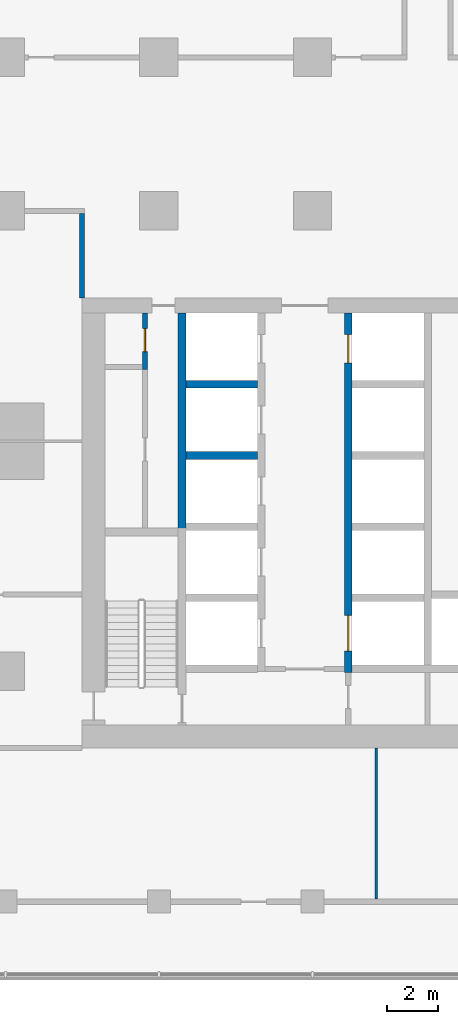
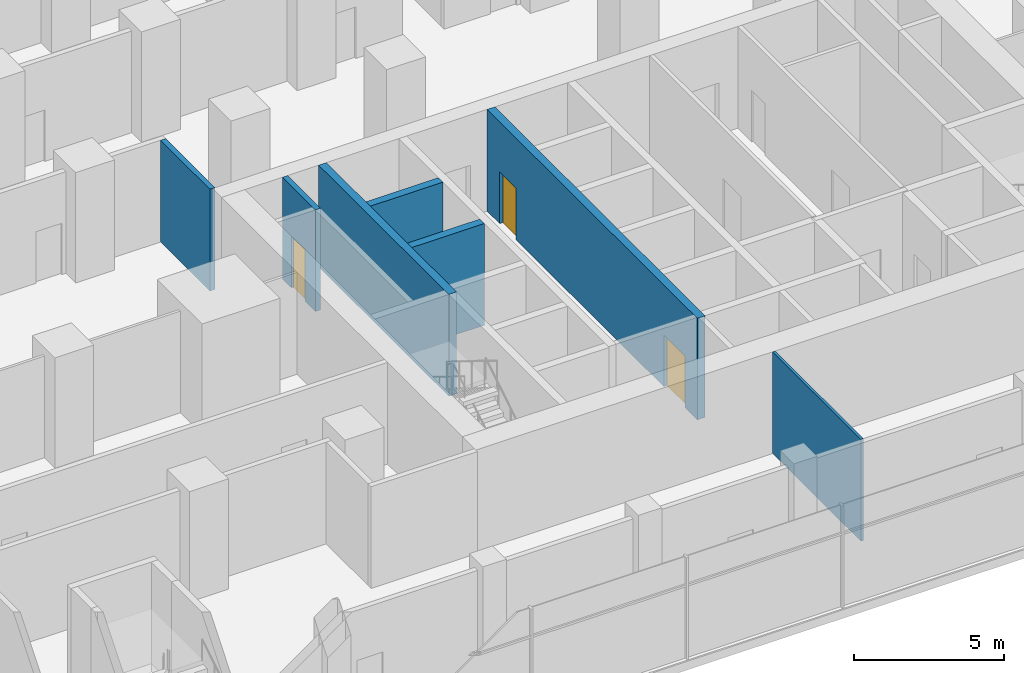
# One storey, part 13 of 22: 7 walls, 3 doors, 3 openings.
"""IFC4 building model written with IfcOpenShell, lengths in metres."""

import ifcopenshell
import ifcopenshell.guid

model = None  # the IFC model being written
_history = None  # IfcOwnerHistory: only IFC2X3 demands one
_inside = {}  # id of a spatial element -> (the spatial element, [elements in it])
_under = {}  # id of a project, library or spatial element -> (it, [spatial elements below it])
_declared = {}  # id of a project -> (the project, [libraries it declares])
_typed = {}  # id of a type object -> (the type object, [elements of that type])
_made_of = {}  # id of a material, layer set ... -> (it, [elements and type objects made of it])


def new_model(schema):
    """Start an empty IFC model of exactly this schema.

    Asked for "IFC4X3", IfcOpenShell would pick the latest addendum, in which some entities
    have other attributes; the version numbers below select the first issue.
    IFC2X3 requires an IfcOwnerHistory on every rooted entity: one is made here for all.
    """
    global model, _history
    if schema == "IFC4X3":
        model = ifcopenshell.file(schema_version=(4, 3, 0, 0))
    else:
        model = ifcopenshell.file(schema=schema)
    _inside.clear()
    _under.clear()
    _declared.clear()
    _typed.clear()
    _made_of.clear()
    _history = None
    if model.schema == "IFC2X3":
        org = make("IfcOrganization", Name="unknown")
        user = make(
            "IfcPersonAndOrganization",
            ThePerson=make("IfcPerson", FamilyName="unknown"),
            TheOrganization=org,
        )
        app = make(
            "IfcApplication",
            ApplicationDeveloper=org,
            Version="unknown",
            ApplicationFullName="unknown",
            ApplicationIdentifier="unknown",
        )
        _history = make(
            "IfcOwnerHistory",
            OwningUser=user,
            OwningApplication=app,
            ChangeAction="ADDED",
            CreationDate=0,
        )
    return model


def make(cls, **values):
    """One entity of the class cls with the attributes given. An attribute that is None is left unset."""
    return model.create_entity(
        cls, **{name: value for name, value in values.items() if value is not None}
    )


def rooted(cls, **values):
    """An entity with a GlobalId (a new one), such as an element, a storey or a relation."""
    return make(cls, GlobalId=ifcopenshell.guid.new(), OwnerHistory=_history, **values)


def si_unit(unit_type, name, prefix=None):
    """IfcSIUnit, for example si_unit("LENGTHUNIT", "METRE", prefix="MILLI")."""
    return make("IfcSIUnit", UnitType=unit_type, Prefix=prefix, Name=name)


def assignment(units):
    """IfcUnitAssignment: the units of a project."""
    return None if units is None else make("IfcUnitAssignment", Units=units)


def point(xyz):
    """IfcCartesianPoint."""
    return None if xyz is None else make("IfcCartesianPoint", Coordinates=xyz)


def direction(xyz):
    """IfcDirection."""
    return None if xyz is None else make("IfcDirection", DirectionRatios=xyz)


def frame(location, z_axis=None, x_axis=None):
    """IfcAxis2Placement3D, a coordinate frame: its origin and axes. An axis left out is left unset."""
    return make(
        "IfcAxis2Placement3D",
        Location=point(location),
        Axis=direction(z_axis),
        RefDirection=direction(x_axis),
    )


def frame_2d(location, x_axis=None):
    """IfcAxis2Placement2D, a coordinate frame in the plane: its origin and x axis."""
    return make(
        "IfcAxis2Placement2D", Location=point(location), RefDirection=direction(x_axis)
    )


def origin():
    """The frame at (0, 0, 0) with its axes left unset."""
    return frame((0.0, 0.0, 0.0))


def place(relative_to, where):
    """IfcLocalPlacement: puts the frame where relative to a parent placement (None: the world)."""
    return make(
        "IfcLocalPlacement", PlacementRelTo=relative_to, RelativePlacement=where
    )


def context(
    kind, dimensions, precision=None, world=None, true_north=None, identifier=None
):
    """IfcGeometricRepresentationContext, for example the 3D "Model" context."""
    return make(
        "IfcGeometricRepresentationContext",
        ContextIdentifier=identifier,
        ContextType=kind,
        CoordinateSpaceDimension=dimensions,
        Precision=precision,
        WorldCoordinateSystem=world,
        TrueNorth=true_north,
    )


def subcontext(parent, identifier, kind, view, scale=None):
    """IfcGeometricRepresentationSubContext, for example "Body" below "Model"."""
    return make(
        "IfcGeometricRepresentationSubContext",
        ContextIdentifier=identifier,
        ContextType=kind,
        ParentContext=parent,
        TargetScale=scale,
        TargetView=view,
    )


def project(units=None, contexts=None):
    """IfcProject with its units and contexts."""
    return rooted(
        "IfcProject",
        Name="project",
        RepresentationContexts=contexts,
        UnitsInContext=assignment(units),
    )


def spatial(cls, under=None, at=None, **own):
    """A site, building, storey or space (cls), placed at a placement, below another one or the project."""
    s = rooted(cls, ObjectPlacement=at, **own)
    if under is not None:
        _under.setdefault(under.id(), (under, []))[1].append(s)
    return s


def profile(cls, at=None, kind="AREA", **sizes):
    """A parametric profile (cls). Its sizes go by their IFC names, for example OverallWidth=200.0."""
    return make(cls, ProfileType=kind, Position=at, **sizes)


def rectangle(**sizes):
    """IfcRectangleProfileDef."""
    return profile("IfcRectangleProfileDef", **sizes)


def extrude(swept, where, along, depth):
    """IfcExtrudedAreaSolid: the profile swept, set in the frame where, extruded along a direction by depth."""
    return make(
        "IfcExtrudedAreaSolid",
        SweptArea=swept,
        Position=where,
        ExtrudedDirection=direction(along),
        Depth=depth,
    )


def shape(context_of_items, identifier, shape_type, items):
    """IfcShapeRepresentation: the items that make up one representation, for example the "Body"."""
    return make(
        "IfcShapeRepresentation",
        ContextOfItems=context_of_items,
        RepresentationIdentifier=identifier,
        RepresentationType=shape_type,
        Items=items,
    )


def material(Name=None, Category=None):
    """IfcMaterial."""
    return make("IfcMaterial", Name=Name, Category=Category)


def layer(
    of_material, thickness, ventilated=None, Name=None, Category=None, Priority=None
):
    """IfcMaterialLayer: one layer of a wall or slab, of a material (None: an air gap)."""
    return make(
        "IfcMaterialLayer",
        Material=of_material,
        LayerThickness=thickness,
        IsVentilated=ventilated,
        Name=Name,
        Category=Category,
        Priority=Priority,
    )


def layer_set(layers, Name=None):
    """IfcMaterialLayerSet."""
    return make("IfcMaterialLayerSet", MaterialLayers=layers, LayerSetName=Name)


def made_of(thing, what):
    """Note that an element or type object is made of a material, layer set ...; save() writes the relation."""
    if what is not None:
        _made_of.setdefault(what.id(), (what, []))[1].append(thing)
    return thing


def type_object(cls, material=None, **own):
    """A type object (cls), such as IfcWallType, which elements share."""
    return made_of(rooted(cls, **own), material)


def element(
    cls,
    number,
    at=None,
    inside=None,
    cuts=None,
    type_object=None,
    material=None,
    context=None,
    identifier="Body",
    shape_type=None,
    held_by="IfcProductDefinitionShape",
    body=None,
    shapes=None,
    **own,
):
    """One element of the class cls, such as IfcWall. Its Tag is "e" and its number.

    at: its placement. inside: the storey or other place that contains it. cuts: it is an
    opening in that element (IfcRelVoidsElement). A single representation is given by context,
    identifier, shape_type and body (its items); several are given by shapes. held_by: the class
    of the entity that holds the representations. save() writes the other relations.
    """
    e = rooted(cls, Tag="e%d" % number, ObjectPlacement=at, **own)
    if body is not None:
        shapes = [shape(context, identifier, shape_type, body)]
    if shapes is not None:
        e.Representation = make(held_by, Representations=shapes)
    if inside is not None:
        _inside.setdefault(inside.id(), (inside, []))[1].append(e)
    if cuts is not None:
        rooted(
            "IfcRelVoidsElement", RelatingBuildingElement=cuts, RelatedOpeningElement=e
        )
    if type_object is not None:
        _typed.setdefault(type_object.id(), (type_object, []))[1].append(e)
    return made_of(e, material)


def fill(opening, filler):
    """IfcRelFillsElement: the door or window that sits in an opening."""
    return rooted(
        "IfcRelFillsElement",
        RelatingOpeningElement=opening,
        RelatedBuildingElement=filler,
    )


def aggregate(whole, parts):
    """IfcRelAggregates: a whole, such as a stair, and the parts it consists of."""
    return rooted("IfcRelAggregates", RelatingObject=whole, RelatedObjects=parts)


def save(model, path):
    """Write the relations noted so far, then the file.

    IfcRelAggregates (storeys below a building ...), IfcRelContainedInSpatialStructure (elements
    in a storey), IfcRelDefinesByType, IfcRelAssociatesMaterial and IfcRelDeclares: one each for
    every whole, place, type object, material and project.
    """
    for whole, parts in _under.values():
        aggregate(whole, parts)
    for where, things in _inside.values():
        rooted(
            "IfcRelContainedInSpatialStructure",
            RelatedElements=things,
            RelatingStructure=where,
        )
    for kind, things in _typed.values():
        rooted("IfcRelDefinesByType", RelatedObjects=things, RelatingType=kind)
    for what, things in _made_of.values():
        rooted("IfcRelAssociatesMaterial", RelatedObjects=things, RelatingMaterial=what)
    for by, libraries in _declared.values():
        rooted("IfcRelDeclares", RelatingContext=by, RelatedDefinitions=libraries)
    model.write(path)


model = new_model("IFC4")

# Units and contexts
model_context = context("Model", 3, precision=1e-05, world=origin(), true_north=direction((0.0, 1.0)))
body_context = subcontext(model_context, "Body", "Model", "MODEL_VIEW")
ifc_project = project(units=[si_unit("LENGTHUNIT", "METRE"), si_unit("AREAUNIT", "SQUARE_METRE"), si_unit("VOLUMEUNIT", "CUBIC_METRE"), si_unit("PLANEANGLEUNIT", "RADIAN"), si_unit("MASSUNIT", "GRAM", prefix="KILO")], contexts=[model_context])

# Site, building, storey
site_placement = place(None, origin())
site = spatial("IfcSite", under=ifc_project, at=site_placement, CompositionType="ELEMENT")
building_placement = place(site_placement, origin())
building = spatial("IfcBuilding", under=site, at=building_placement, Name="Finial Court Residences", CompositionType="ELEMENT")
storey_placement = place(building_placement, frame((0.0, 0.0, 23.5)))
storey = spatial("IfcBuildingStorey", under=building, at=storey_placement, Name="L04", CompositionType="ELEMENT", Elevation=23.5)

# Walls
ifc_material_1 = material(Name="Gypsum board")
ifc_layer_1 = layer(ifc_material_1, 0.02490234375)
ifc_material_2 = material(Name="Acoustic mineral wool in double frame")
ifc_layer_2 = layer(ifc_material_2, 0.14990234375)
ifc_layer_3 = layer(ifc_material_1, 0.02490234375)
ifc_layer_set_1 = layer_set([ifc_layer_1, ifc_layer_2, ifc_layer_3], Name="Corridor wall 200, 1 hour")
wall_type_1 = type_object("IfcWallType", Name="Corridor wall 200, 1 hour", PredefinedType="PARTITIONING", material=ifc_layer_set_1)
wall_1_placement = place(storey_placement, frame((-13.5, -7.89990234375, 0.0), z_axis=(0.0, 0.0, 1.0), x_axis=(0.0, 1.0, 0.0)))
element("IfcWall", 1, at=wall_1_placement, inside=storey, type_object=wall_type_1, Name="Partition L04-049", PredefinedType="PARTITIONING", context=body_context, shape_type="SweptSolid", body=[
    extrude(rectangle(XDim=3.2998046875, YDim=0.199951171875, at=frame_2d((1.64990234375, 0.0))), origin(), (0.0, 0.0, 1.0), 4.14990234375),
])
ifc_layer_4 = layer(ifc_material_1, 0.012451171875)
ifc_material_3 = material(Name="Mineral wool in light-gauge frame")
ifc_layer_5 = layer(ifc_material_3, 0.074951171875)
ifc_layer_6 = layer(ifc_material_1, 0.012451171875)
ifc_layer_set_2 = layer_set([ifc_layer_4, ifc_layer_5, ifc_layer_6], Name="Gypsum board partition 100")
wall_type_2 = type_object("IfcWallType", Name="Gypsum board partition 100", PredefinedType="PARTITIONING", material=ifc_layer_set_2)
wall_2_placement = place(storey_placement, frame((-2.0, -31.39990234375, 0.0), z_axis=(0.0, 0.0, 1.0), x_axis=(0.0, 1.0, 0.0)))
element("IfcWall", 2, at=wall_2_placement, inside=storey, type_object=wall_type_2, Name="Partition L04-050", PredefinedType="PARTITIONING", context=body_context, shape_type="SweptSolid", body=[
    extrude(rectangle(XDim=5.89990234375, YDim=0.10009765625, at=frame_2d((2.949951171875, 0.0))), origin(), (0.0, 0.0, 1.0), 4.14990234375),
])
ifc_material_4 = material(Name="Concrete C80/95", Category="concrete")
ifc_layer_7 = layer(ifc_material_4, 0.300048828125)
ifc_layer_set_3 = layer_set([ifc_layer_7], Name="Lift shaft and stair wall 300 Concrete C80/95")
wall_type_3 = type_object("IfcWallType", Name="Lift shaft and stair wall 300 Concrete C80/95", PredefinedType="SHEAR", material=ifc_layer_set_3)
for number, where, z_axis, x_axis, name in (
    (3, (-9.449951171875, -14.06005859375, 0.0), (0.0, 0.0, 1.0), (1.0, 0.0, 0.0), "Core wall L04-14"),
    (4, (-9.449951171875, -11.280029296875, 0.0), (0.0, 0.0, 1.0), (1.0, 0.0, 0.0), "Core wall L04-17"),
):
    element("IfcWall", number, at=place(storey_placement, frame(where, z_axis=z_axis, x_axis=x_axis)), inside=storey, type_object=wall_type_3, Name=name, PredefinedType="SHEAR", context=body_context, shape_type="SweptSolid", body=[
        extrude(rectangle(XDim=2.800048828125, YDim=0.300048828125, at=frame_2d((1.39990234375, 0.0))), origin(), (0.0, 0.0, 1.0), 4.14990234375),
    ])
wall_3_placement = place(storey_placement, frame((-9.60009765625, -17.199951171875, 0.0), z_axis=(0.0, 0.0, 1.0), x_axis=(0.0, 1.0, 0.0)))
element("IfcWall", 5, at=wall_3_placement, inside=storey, type_object=wall_type_3, Name="Core wall L04-24", PredefinedType="SHEAR", context=body_context, shape_type="SweptSolid", body=[
    extrude(rectangle(XDim=8.699951171875, YDim=0.300048828125, at=frame_2d((4.35009765625, 0.0))), origin(), (0.0, 0.0, 1.0), 4.14990234375),
])

# Wall, openings, doors
wall_4_placement = place(storey_placement, frame((-3.10009765625, -22.550048828125, 0.0), z_axis=(0.0, 0.0, 1.0), x_axis=(0.0, 1.0, 0.0)))
wall_4 = element("IfcWall", 6, at=wall_4_placement, inside=storey, type_object=wall_type_3, Name="Core wall L04-27", PredefinedType="SHEAR", context=body_context, shape_type="SweptSolid", body=[
    extrude(rectangle(XDim=14.050048828125, YDim=0.300048828125, at=frame_2d((7.02490234375, 0.0))), origin(), (0.0, 0.0, 1.0), 4.14990234375),
])
opening_1_placement = place(wall_4_placement, frame((12.110107421875, 0.0, 0.0)))
opening_1 = element("IfcOpeningElement", 7, at=opening_1_placement, cuts=wall_4, Name="Opening L04-LD08", PredefinedType="OPENING", context=body_context, shape_type="SweptSolid", body=[
    extrude(rectangle(XDim=1.10009765625, YDim=2.10009765625, at=frame_2d((0.550048828125, 1.050048828125))), frame((0.0, 0.159912109375, 0.0), z_axis=(0.0, -1.0, 0.0), x_axis=(1.0, 0.0, 0.0)), (0.0, 0.0, 1.0), 0.320068359375),
])
opening_2_placement = place(wall_4_placement, frame((0.840087890625, 0.0, 0.0)))
opening_2 = element("IfcOpeningElement", 8, at=opening_2_placement, cuts=wall_4, Name="Opening L04-LD09", PredefinedType="OPENING", context=body_context, shape_type="SweptSolid", body=[
    extrude(rectangle(XDim=1.39990234375, YDim=2.10009765625, at=frame_2d((0.699951171875, 1.050048828125))), frame((0.0, 0.159912109375, 0.0), z_axis=(0.0, -1.0, 0.0), x_axis=(1.0, 0.0, 0.0)), (0.0, 0.0, 1.0), 0.320068359375),
])
ifc_material_5 = material(Name="Stainless steel lift door", Category="steel")
door_type_1 = type_object("IfcDoorType", Name="Lift landing door 1100 x 2100 EI 90", OperationType="DOUBLE_DOOR_SLIDING", PredefinedType="DOOR", material=ifc_material_5)
door_1_placement = place(opening_1_placement, origin())
door_1 = element("IfcDoor", 9, at=door_1_placement, inside=storey, type_object=door_type_1, Name="Lift landing door LR6 L04", OperationType="DOUBLE_DOOR_SLIDING", OverallHeight=2.10009765625, OverallWidth=1.10009765625, PredefinedType="DOOR", context=body_context, shape_type="SweptSolid", body=[
    extrude(rectangle(XDim=1.10009765625, YDim=2.10009765625, at=frame_2d((0.550048828125, 1.050048828125))), frame((0.0, 0.02490234375, 0.0), z_axis=(0.0, -1.0, 0.0), x_axis=(1.0, 0.0, 0.0)), (0.0, 0.0, 1.0), 0.050048828125),
])
fill(opening_1, door_1)
door_type_2 = type_object("IfcDoorType", Name="Lift landing door 1400 x 2100 EI 90", OperationType="DOUBLE_DOOR_SLIDING", PredefinedType="DOOR", material=ifc_material_5)
door_2_placement = place(opening_2_placement, origin())
door_2 = element("IfcDoor", 10, at=door_2_placement, inside=storey, type_object=door_type_2, Name="Lift landing door SV1 L04", OperationType="DOUBLE_DOOR_SLIDING", OverallHeight=2.10009765625, OverallWidth=1.39990234375, PredefinedType="DOOR", context=body_context, shape_type="SweptSolid", body=[
    extrude(rectangle(XDim=1.39990234375, YDim=2.10009765625, at=frame_2d((0.699951171875, 1.050048828125))), frame((0.0, 0.02490234375, 0.0), z_axis=(0.0, -1.0, 0.0), x_axis=(1.0, 0.0, 0.0)), (0.0, 0.0, 1.0), 0.050048828125),
])
fill(opening_2, door_2)

# Wall, opening, door
ifc_material_6 = material(Name="Fire-rated gypsum board partition")
ifc_layer_8 = layer(ifc_material_6, 0.199951171875)
ifc_layer_set_4 = layer_set([ifc_layer_8], Name="Riser room wall 200 EI 120")
wall_type_4 = type_object("IfcWallType", Name="Riser room wall 200 EI 120", PredefinedType="PARTITIONING", material=ifc_layer_set_4)
wall_5_placement = place(storey_placement, frame((-11.050048828125, -10.699951171875, 0.0), z_axis=(0.0, 0.0, 1.0), x_axis=(0.0, 1.0, 0.0)))
wall_5 = element("IfcWall", 11, at=wall_5_placement, inside=storey, type_object=wall_type_4, Name="Core partition L04-22", PredefinedType="PARTITIONING", context=body_context, shape_type="SweptSolid", body=[
    extrude(rectangle(XDim=2.199951171875, YDim=0.199951171875, at=frame_2d((1.10009765625, 0.0))), origin(), (0.0, 0.0, 1.0), 4.14990234375),
])
opening_3_placement = place(wall_5_placement, frame((0.699951171875, 0.0, 0.0)))
opening_3 = element("IfcOpeningElement", 12, at=opening_3_placement, cuts=wall_5, Name="Opening L04-C07", PredefinedType="OPENING", context=body_context, shape_type="SweptSolid", body=[
    extrude(rectangle(XDim=0.89990234375, YDim=2.10009765625, at=frame_2d((0.449951171875, 1.050048828125))), frame((0.0, 0.10986328125, 0.0), z_axis=(0.0, -1.0, 0.0), x_axis=(1.0, 0.0, 0.0)), (0.0, 0.0, 1.0), 0.219970703125),
])
ifc_material_7 = material(Name="Steel fire door", Category="steel")
door_type_3 = type_object("IfcDoorType", Name="Riser room door 900 x 2100 EI 90", OperationType="NOTDEFINED", PredefinedType="DOOR", material=ifc_material_7)
door_3_placement = place(opening_3_placement, origin())
door_3 = element("IfcDoor", 13, at=door_3_placement, inside=storey, type_object=door_type_3, Name="Riser room door L04-C07", OperationType="SINGLE_SWING_LEFT", OverallHeight=2.10009765625, OverallWidth=0.89990234375, PredefinedType="DOOR", context=body_context, shape_type="SweptSolid", body=[
    extrude(rectangle(XDim=0.89990234375, YDim=2.10009765625, at=frame_2d((0.449951171875, 1.050048828125))), frame((0.0, 0.02490234375, 0.0), z_axis=(0.0, -1.0, 0.0), x_axis=(1.0, 0.0, 0.0)), (0.0, 0.0, 1.0), 0.050048828125),
])
fill(opening_3, door_3)

save(model, "model.ifc")
